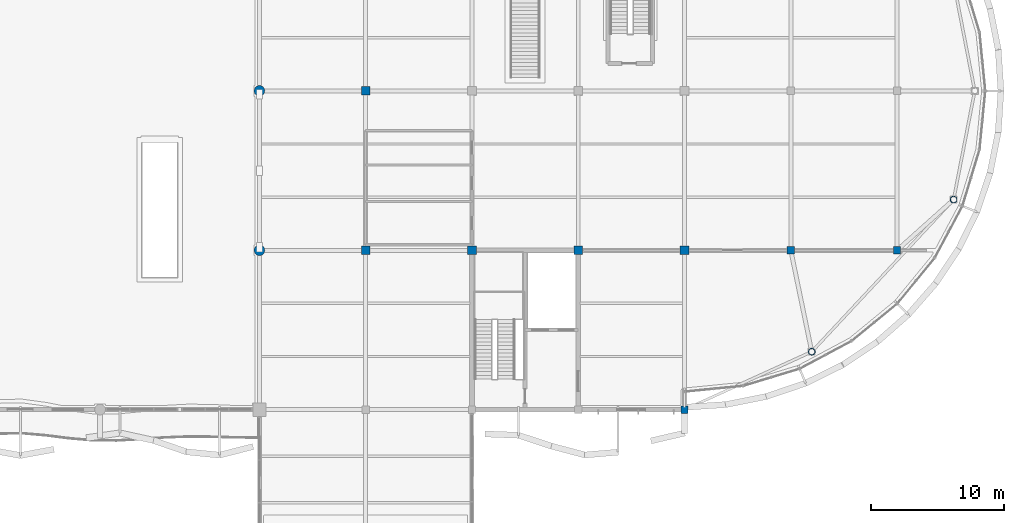
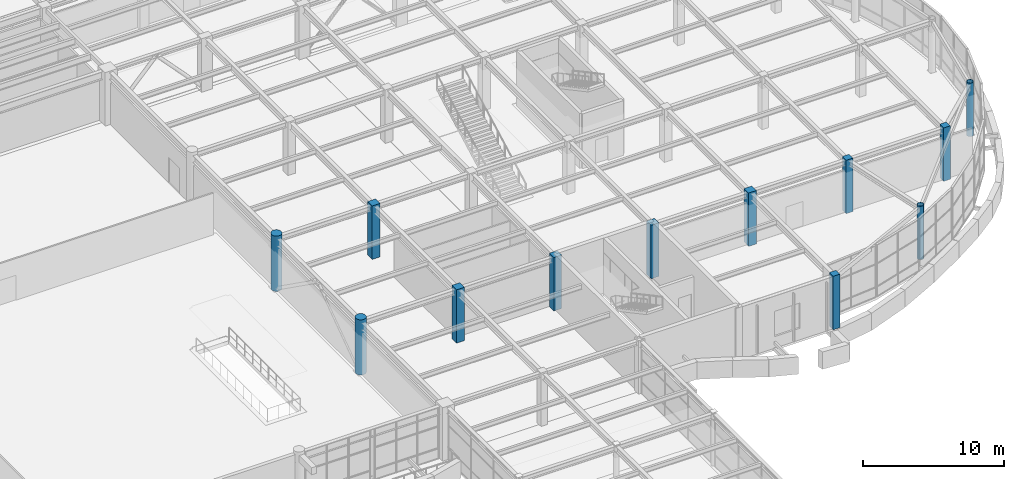
# One storey, part 7 of 72: 12 columns.
"""IFC4 building model written with IfcOpenShell, lengths in metres."""

import ifcopenshell
import ifcopenshell.guid

model = None  # the IFC model being written
_history = None  # IfcOwnerHistory: only IFC2X3 demands one
_inside = {}  # id of a spatial element -> (the spatial element, [elements in it])
_under = {}  # id of a project, library or spatial element -> (it, [spatial elements below it])
_declared = {}  # id of a project -> (the project, [libraries it declares])
_typed = {}  # id of a type object -> (the type object, [elements of that type])
_made_of = {}  # id of a material, layer set ... -> (it, [elements and type objects made of it])


def new_model(schema):
    """Start an empty IFC model of exactly this schema.

    Asked for "IFC4X3", IfcOpenShell would pick the latest addendum, in which some entities
    have other attributes; the version numbers below select the first issue.
    IFC2X3 requires an IfcOwnerHistory on every rooted entity: one is made here for all.
    """
    global model, _history
    if schema == "IFC4X3":
        model = ifcopenshell.file(schema_version=(4, 3, 0, 0))
    else:
        model = ifcopenshell.file(schema=schema)
    _inside.clear()
    _under.clear()
    _declared.clear()
    _typed.clear()
    _made_of.clear()
    _history = None
    if model.schema == "IFC2X3":
        org = make("IfcOrganization", Name="unknown")
        user = make(
            "IfcPersonAndOrganization",
            ThePerson=make("IfcPerson", FamilyName="unknown"),
            TheOrganization=org,
        )
        app = make(
            "IfcApplication",
            ApplicationDeveloper=org,
            Version="unknown",
            ApplicationFullName="unknown",
            ApplicationIdentifier="unknown",
        )
        _history = make(
            "IfcOwnerHistory",
            OwningUser=user,
            OwningApplication=app,
            ChangeAction="ADDED",
            CreationDate=0,
        )
    return model


def make(cls, **values):
    """One entity of the class cls with the attributes given. An attribute that is None is left unset."""
    return model.create_entity(
        cls, **{name: value for name, value in values.items() if value is not None}
    )


def rooted(cls, **values):
    """An entity with a GlobalId (a new one), such as an element, a storey or a relation."""
    return make(cls, GlobalId=ifcopenshell.guid.new(), OwnerHistory=_history, **values)


def si_unit(unit_type, name, prefix=None):
    """IfcSIUnit, for example si_unit("LENGTHUNIT", "METRE", prefix="MILLI")."""
    return make("IfcSIUnit", UnitType=unit_type, Prefix=prefix, Name=name)


def assignment(units):
    """IfcUnitAssignment: the units of a project."""
    return None if units is None else make("IfcUnitAssignment", Units=units)


def point(xyz):
    """IfcCartesianPoint."""
    return None if xyz is None else make("IfcCartesianPoint", Coordinates=xyz)


def direction(xyz):
    """IfcDirection."""
    return None if xyz is None else make("IfcDirection", DirectionRatios=xyz)


def frame(location, z_axis=None, x_axis=None):
    """IfcAxis2Placement3D, a coordinate frame: its origin and axes. An axis left out is left unset."""
    return make(
        "IfcAxis2Placement3D",
        Location=point(location),
        Axis=direction(z_axis),
        RefDirection=direction(x_axis),
    )


def frame_2d(location, x_axis=None):
    """IfcAxis2Placement2D, a coordinate frame in the plane: its origin and x axis."""
    return make(
        "IfcAxis2Placement2D", Location=point(location), RefDirection=direction(x_axis)
    )


def origin():
    """The frame at (0, 0, 0) with its axes left unset."""
    return frame((0.0, 0.0, 0.0))


def origin_2d():
    """The frame at (0, 0) in the plane with its x axis left unset."""
    return frame_2d((0.0, 0.0))


def place(relative_to, where):
    """IfcLocalPlacement: puts the frame where relative to a parent placement (None: the world)."""
    return make(
        "IfcLocalPlacement", PlacementRelTo=relative_to, RelativePlacement=where
    )


def context(
    kind, dimensions, precision=None, world=None, true_north=None, identifier=None
):
    """IfcGeometricRepresentationContext, for example the 3D "Model" context."""
    return make(
        "IfcGeometricRepresentationContext",
        ContextIdentifier=identifier,
        ContextType=kind,
        CoordinateSpaceDimension=dimensions,
        Precision=precision,
        WorldCoordinateSystem=world,
        TrueNorth=true_north,
    )


def subcontext(parent, identifier, kind, view, scale=None):
    """IfcGeometricRepresentationSubContext, for example "Body" below "Model"."""
    return make(
        "IfcGeometricRepresentationSubContext",
        ContextIdentifier=identifier,
        ContextType=kind,
        ParentContext=parent,
        TargetScale=scale,
        TargetView=view,
    )


def project(units=None, contexts=None):
    """IfcProject with its units and contexts."""
    return rooted(
        "IfcProject",
        Name="project",
        RepresentationContexts=contexts,
        UnitsInContext=assignment(units),
    )


def spatial(cls, under=None, at=None, **own):
    """A site, building, storey or space (cls), placed at a placement, below another one or the project."""
    s = rooted(cls, ObjectPlacement=at, **own)
    if under is not None:
        _under.setdefault(under.id(), (under, []))[1].append(s)
    return s


def profile(cls, at=None, kind="AREA", **sizes):
    """A parametric profile (cls). Its sizes go by their IFC names, for example OverallWidth=200.0."""
    return make(cls, ProfileType=kind, Position=at, **sizes)


def rectangle(**sizes):
    """IfcRectangleProfileDef."""
    return profile("IfcRectangleProfileDef", **sizes)


def circle(**sizes):
    """IfcCircleProfileDef."""
    return profile("IfcCircleProfileDef", **sizes)


def hollow_circle(**sizes):
    """IfcCircleHollowProfileDef."""
    return profile("IfcCircleHollowProfileDef", **sizes)


def extrude(swept, where, along, depth):
    """IfcExtrudedAreaSolid: the profile swept, set in the frame where, extruded along a direction by depth."""
    return make(
        "IfcExtrudedAreaSolid",
        SweptArea=swept,
        Position=where,
        ExtrudedDirection=direction(along),
        Depth=depth,
    )


def shape(context_of_items, identifier, shape_type, items):
    """IfcShapeRepresentation: the items that make up one representation, for example the "Body"."""
    return make(
        "IfcShapeRepresentation",
        ContextOfItems=context_of_items,
        RepresentationIdentifier=identifier,
        RepresentationType=shape_type,
        Items=items,
    )


def material(Name=None, Category=None):
    """IfcMaterial."""
    return make("IfcMaterial", Name=Name, Category=Category)


def material_profile(
    of_material, cross_section, Name=None, Category=None, Priority=None
):
    """IfcMaterialProfile: a cross section and its material."""
    return make(
        "IfcMaterialProfile",
        Name=Name,
        Material=of_material,
        Profile=cross_section,
        Priority=Priority,
        Category=Category,
    )


def profile_set(profiles, Name=None, composite=None):
    """IfcMaterialProfileSet."""
    return make(
        "IfcMaterialProfileSet",
        Name=Name,
        MaterialProfiles=profiles,
        CompositeProfile=composite,
    )


def made_of(thing, what):
    """Note that an element or type object is made of a material, layer set ...; save() writes the relation."""
    if what is not None:
        _made_of.setdefault(what.id(), (what, []))[1].append(thing)
    return thing


def type_object(cls, material=None, **own):
    """A type object (cls), such as IfcWallType, which elements share."""
    return made_of(rooted(cls, **own), material)


def element(
    cls,
    number,
    at=None,
    inside=None,
    cuts=None,
    type_object=None,
    material=None,
    context=None,
    identifier="Body",
    shape_type=None,
    held_by="IfcProductDefinitionShape",
    body=None,
    shapes=None,
    **own,
):
    """One element of the class cls, such as IfcWall. Its Tag is "e" and its number.

    at: its placement. inside: the storey or other place that contains it. cuts: it is an
    opening in that element (IfcRelVoidsElement). A single representation is given by context,
    identifier, shape_type and body (its items); several are given by shapes. held_by: the class
    of the entity that holds the representations. save() writes the other relations.
    """
    e = rooted(cls, Tag="e%d" % number, ObjectPlacement=at, **own)
    if body is not None:
        shapes = [shape(context, identifier, shape_type, body)]
    if shapes is not None:
        e.Representation = make(held_by, Representations=shapes)
    if inside is not None:
        _inside.setdefault(inside.id(), (inside, []))[1].append(e)
    if cuts is not None:
        rooted(
            "IfcRelVoidsElement", RelatingBuildingElement=cuts, RelatedOpeningElement=e
        )
    if type_object is not None:
        _typed.setdefault(type_object.id(), (type_object, []))[1].append(e)
    return made_of(e, material)


def aggregate(whole, parts):
    """IfcRelAggregates: a whole, such as a stair, and the parts it consists of."""
    return rooted("IfcRelAggregates", RelatingObject=whole, RelatedObjects=parts)


def save(model, path):
    """Write the relations noted so far, then the file.

    IfcRelAggregates (storeys below a building ...), IfcRelContainedInSpatialStructure (elements
    in a storey), IfcRelDefinesByType, IfcRelAssociatesMaterial and IfcRelDeclares: one each for
    every whole, place, type object, material and project.
    """
    for whole, parts in _under.values():
        aggregate(whole, parts)
    for where, things in _inside.values():
        rooted(
            "IfcRelContainedInSpatialStructure",
            RelatedElements=things,
            RelatingStructure=where,
        )
    for kind, things in _typed.values():
        rooted("IfcRelDefinesByType", RelatedObjects=things, RelatingType=kind)
    for what, things in _made_of.values():
        rooted("IfcRelAssociatesMaterial", RelatedObjects=things, RelatingMaterial=what)
    for by, libraries in _declared.values():
        rooted("IfcRelDeclares", RelatingContext=by, RelatedDefinitions=libraries)
    model.write(path)


model = new_model("IFC4")

# Units and contexts
model_context = context("Model", 3, precision=1e-05, world=origin(), true_north=direction((0.0, 1.0)))
body_context = subcontext(model_context, "Body", "Model", "MODEL_VIEW")
ifc_project = project(units=[si_unit("LENGTHUNIT", "METRE"), si_unit("AREAUNIT", "SQUARE_METRE"), si_unit("VOLUMEUNIT", "CUBIC_METRE"), si_unit("PLANEANGLEUNIT", "RADIAN"), si_unit("MASSUNIT", "GRAM", prefix="KILO")], contexts=[model_context])

# Site, building, storey
site_placement = place(None, origin())
site = spatial("IfcSite", under=ifc_project, at=site_placement, CompositionType="ELEMENT")
building_placement = place(site_placement, origin())
building = spatial("IfcBuilding", under=site, at=building_placement, Name="Keelwater Ferry Terminal", CompositionType="ELEMENT")
storey_placement = place(building_placement, frame((0.0, 0.0, 5.39990234375)))
storey = spatial("IfcBuildingStorey", under=building, at=storey_placement, Name="L01", CompositionType="ELEMENT", Elevation=5.39990234375)

# Columns
ifc_material_1 = material(Name="Concrete C45/55", Category="concrete")
ifc_material_profile_1 = material_profile(ifc_material_1, rectangle(XDim=0.64990234375, YDim=0.64990234375, at=origin_2d()), Name="RC 650x650")
ifc_profile_set_1 = profile_set([ifc_material_profile_1], Name="Concrete C45/55")
column_type_1 = type_object("IfcColumnType", Name="C3 RC 650x650", PredefinedType="COLUMN", material=ifc_profile_set_1)
for number, where, z_axis, x_axis, name in (
    (1, (140.0, 54.0, 0.0), (0.0, 0.0, 1.0), (1.0, 0.0, 0.0), "Column CL-L01-0295"),
    (2, (140.0, 66.0, 0.0), (0.0, 0.0, 1.0), (1.0, 0.0, 0.0), "Column CL-L01-0299"),
    (3, (148.0, 54.0, 0.0), (0.0, 0.0, 1.0), (1.0, 0.0, 0.0), "Column CL-L01-0342"),
    (4, (156.0, 54.0, 0.0), (0.0, 0.0, 1.0), (1.0, 0.0, 0.0), "Column CL-L01-0381"),
    (5, (164.0, 54.0, 0.0), (0.0, 0.0, 1.0), (1.0, 0.0, 0.0), "Column CL-L01-0420"),
):
    element("IfcColumn", number, at=place(storey_placement, frame(where, z_axis=z_axis, x_axis=x_axis)), inside=storey, type_object=column_type_1, Name=name, PredefinedType="COLUMN", context=body_context, shape_type="SweptSolid", body=[
        extrude(rectangle(XDim=0.64990234375, YDim=0.64990234375, at=origin_2d()), origin(), (0.0, 0.0, 1.0), 4.64013671875),
    ])
ifc_material_2 = material(Name="Concrete C45/55", Category="concrete")
ifc_material_profile_2 = material_profile(ifc_material_2, rectangle(XDim=0.550048828125, YDim=0.550048828125, at=origin_2d()), Name="RC 550x550")
ifc_profile_set_2 = profile_set([ifc_material_profile_2], Name="Concrete C45/55")
column_type_2 = type_object("IfcColumnType", Name="C4 RC 550x550", PredefinedType="COLUMN", material=ifc_profile_set_2)
for number, where, z_axis, x_axis, name in (
    (6, (164.0, 42.0, 0.0), (0.0, 0.0, 1.0), (1.0, 0.0, 0.0), "Column CL-L01-0417"),
    (7, (172.0, 54.0, 0.0), (0.0, 0.0, 1.0), (1.0, 0.0, 0.0), "Column CL-L01-0456"),
    (8, (180.0, 54.0, 0.0), (0.0, 0.0, 1.0), (1.0, 0.0, 0.0), "Column CL-L01-0494"),
):
    element("IfcColumn", number, at=place(storey_placement, frame(where, z_axis=z_axis, x_axis=x_axis)), inside=storey, type_object=column_type_2, Name=name, PredefinedType="COLUMN", context=body_context, shape_type="SweptSolid", body=[
        extrude(rectangle(XDim=0.550048828125, YDim=0.550048828125, at=origin_2d()), origin(), (0.0, 0.0, 1.0), 4.64013671875),
    ])
ifc_material_3 = material(Name="Concrete C50/60", Category="concrete")
ifc_material_profile_3 = material_profile(ifc_material_3, circle(Radius=0.39990234375, at=origin_2d()), Name="RC D800")
ifc_profile_set_3 = profile_set([ifc_material_profile_3], Name="Concrete C50/60")
column_type_3 = type_object("IfcColumnType", Name="C6 RC D800", PredefinedType="COLUMN", material=ifc_profile_set_3)
for number, where, z_axis, x_axis, name in (
    (9, (132.0, 54.0, 0.0), (0.0, 0.0, 1.0), (1.0, 0.0, 0.0), "Column CL-L01-0243"),
    (10, (132.0, 66.0, 0.0), (0.0, 0.0, 1.0), (1.0, 0.0, 0.0), "Column CL-L01-0247"),
):
    element("IfcColumn", number, at=place(storey_placement, frame(where, z_axis=z_axis, x_axis=x_axis)), inside=storey, type_object=column_type_3, Name=name, PredefinedType="COLUMN", context=body_context, shape_type="SweptSolid", body=[
        extrude(circle(Radius=0.39990234375, at=origin_2d()), origin(), (0.0, 0.0, 1.0), 4.800048828125),
    ])
ifc_material_4 = material(Name="Steel S355", Category="steel")
ifc_material_profile_4 = material_profile(ifc_material_4, hollow_circle(Radius=0.25390625, WallThickness=0.02001953125, at=origin_2d()), Name="CHS 508x20")
ifc_profile_set_4 = profile_set([ifc_material_profile_4], Name="Steel S355")
column_type_4 = type_object("IfcColumnType", Name="C8E CHS 508x20", PredefinedType="COLUMN", material=ifc_profile_set_4)
for number, where, z_axis, x_axis, name in (
    (11, (184.259033203125, 57.81494140625, 0.0), (0.0, 0.0, 1.0), (1.0, 0.0, 0.0), "Column CL-L01-0552"),
    (12, (173.577880859375, 46.361083984375, 0.0), (0.0, 0.0, 1.0), (1.0, 0.0, 0.0), "Column CL-L01-0555"),
):
    element("IfcColumn", number, at=place(storey_placement, frame(where, z_axis=z_axis, x_axis=x_axis)), inside=storey, type_object=column_type_4, Name=name, PredefinedType="COLUMN", context=body_context, shape_type="SweptSolid", body=[
        extrude(hollow_circle(Radius=0.25390625, WallThickness=0.02001953125, at=origin_2d()), origin(), (0.0, 0.0, 1.0), 4.64013671875),
    ])

save(model, "model.ifc")
